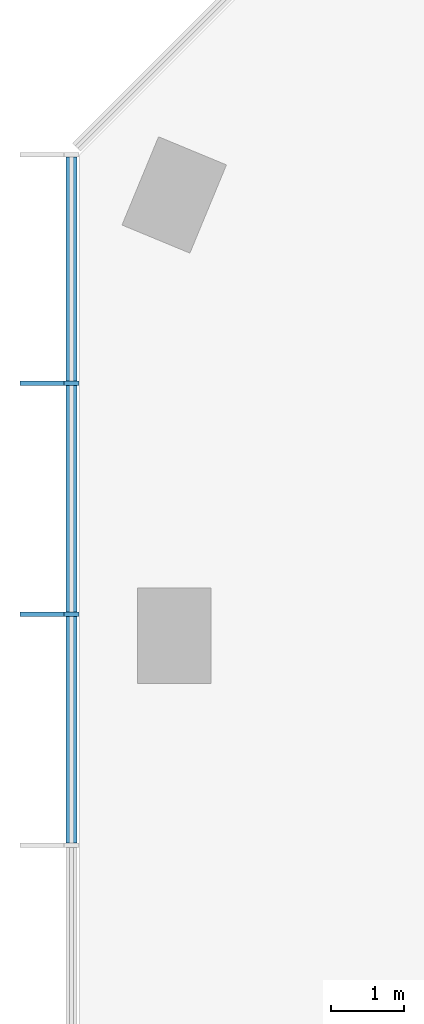
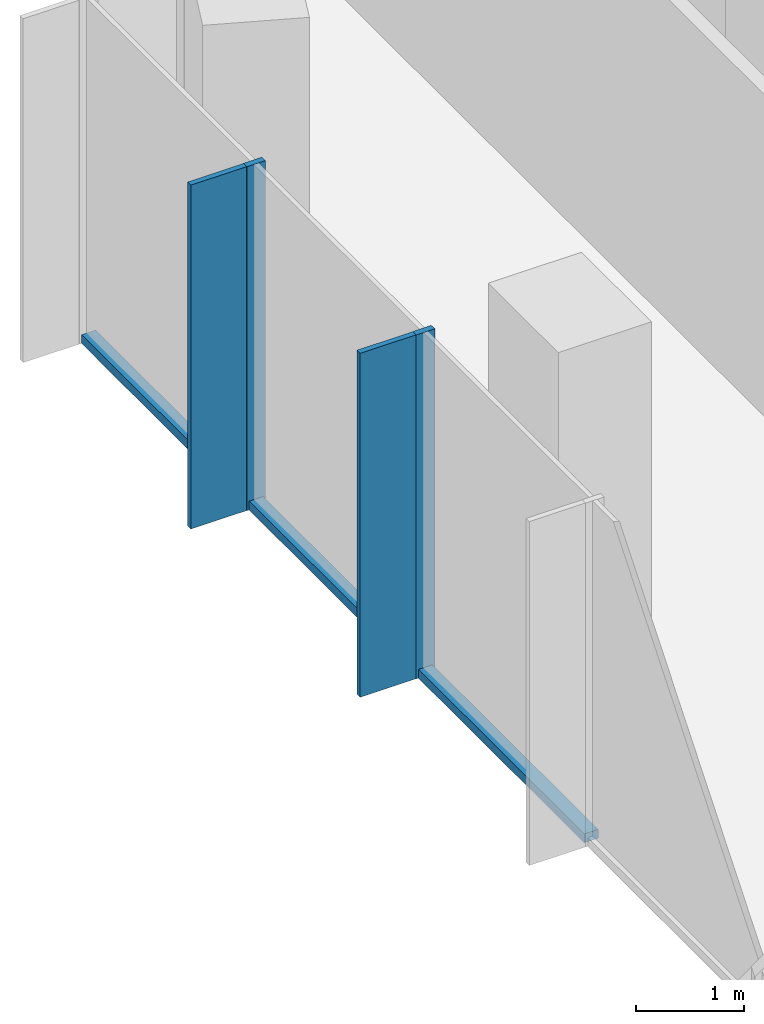
# One storey, part 3 of 10: 7 members, 1 element without a shape of its own.
"""IFC4 building model written with IfcOpenShell, lengths in metres."""

from ifc_helpers import new_model, si_unit, direction, frame, origin, origin_2d, place, context, subcontext, project, spatial, rectangle, extrude, material, layer, layer_set, material_profile, profile_set, type_object, element, aggregate, save


model = new_model("IFC4")

# Units and contexts
model_context = context("Model", 3, precision=1e-05, world=origin(), true_north=direction((0.0, 1.0)))
body_context = subcontext(model_context, "Body", "Model", "MODEL_VIEW")
ifc_project = project(units=[si_unit("LENGTHUNIT", "METRE"), si_unit("AREAUNIT", "SQUARE_METRE"), si_unit("VOLUMEUNIT", "CUBIC_METRE"), si_unit("PLANEANGLEUNIT", "RADIAN"), si_unit("MASSUNIT", "GRAM", prefix="KILO")], contexts=[model_context])

# Site, building, storey
site_placement = place(None, origin())
site = spatial("IfcSite", under=ifc_project, at=site_placement, CompositionType="ELEMENT")
building_placement = place(site_placement, origin())
building = spatial("IfcBuilding", under=site, at=building_placement, Name="Highveld Stack Headquarters", CompositionType="ELEMENT")
storey_placement = place(building_placement, frame((0.0, 0.0, 252.800048828125)))
storey = spatial("IfcBuildingStorey", under=building, at=storey_placement, Name="L62", CompositionType="ELEMENT", Elevation=252.800048828125)

# Curtain wall, members
ifc_material_1 = material(Name="Aluminium bronze anodised", Category="aluminium")
ifc_layer = layer(ifc_material_1, 0.199951171875)
ifc_layer_set = layer_set([ifc_layer], Name="Aluminium bronze anodised")
curtain_wall_type = type_object("IfcCurtainWallType", Name="CW5 EXECUTIVE UNITISED CURTAIN WALL", PredefinedType="NOTDEFINED", material=ifc_layer_set)
curtain_wall_placement = place(storey_placement, origin())
curtain_wall = element("IfcCurtainWall", 1, at=curtain_wall_placement, inside=storey, type_object=curtain_wall_type, Name="Curtain wall CW5 L62 W", PredefinedType="NOTDEFINED")
ifc_material_2 = material(Name="Aluminium bronze anodised", Category="aluminium")
ifc_material_profile_1 = material_profile(ifc_material_2, rectangle(XDim=0.60009765625, YDim=0.06005859375, at=origin_2d()), Name="FIN 600x60")
ifc_profile_set_1 = profile_set([ifc_material_profile_1], Name="Aluminium bronze anodised")
member_type_1 = type_object("IfcMemberType", Name="CW5 BRONZE FIN 600x60", PredefinedType="USERDEFINED", material=ifc_profile_set_1)
member_1_placement = place(storey_placement, frame((-13.800048828125, 15.434814453125, 0.0), z_axis=(0.0, 0.0, 1.0), x_axis=(1.0, 0.0, 0.0)))
member_1 = element("IfcMember", 2, at=member_1_placement, type_object=member_type_1, Name="CW5 fin L62 2", ObjectType="FIN", PredefinedType="USERDEFINED", context=body_context, shape_type="SweptSolid", body=[
    extrude(rectangle(XDim=0.60009765625, YDim=0.06005859375, at=origin_2d()), origin(), (0.0, 0.0, 1.0), 3.89990234375),
])
member_2_placement = place(storey_placement, frame((-13.800048828125, 12.289794921875, 0.0), z_axis=(0.0, 0.0, 1.0), x_axis=(1.0, 0.0, 0.0)))
member_2 = element("IfcMember", 3, at=member_2_placement, type_object=member_type_1, Name="CW5 fin L62 3", ObjectType="FIN", PredefinedType="USERDEFINED", context=body_context, shape_type="SweptSolid", body=[
    extrude(rectangle(XDim=0.60009765625, YDim=0.06005859375, at=origin_2d()), origin(), (0.0, 0.0, 1.0), 3.89990234375),
])
ifc_material_3 = material(Name="Aluminium bronze anodised", Category="aluminium")
ifc_material_profile_2 = material_profile(ifc_material_3, rectangle(XDim=0.199951171875, YDim=0.06494140625, at=origin_2d()), Name="CW5 MULLION 65x200")
ifc_profile_set_2 = profile_set([ifc_material_profile_2], Name="Aluminium bronze anodised")
member_type_2 = type_object("IfcMemberType", Name="CW5 MULLION 65x200", PredefinedType="MULLION", material=ifc_profile_set_2)
member_3_placement = place(storey_placement, frame((-13.39990234375, 15.434814453125, 0.0), z_axis=(0.0, 0.0, 1.0), x_axis=(1.0, 0.0, 0.0)))
member_3 = element("IfcMember", 4, at=member_3_placement, type_object=member_type_2, Name="CW5 mullion L62 2", PredefinedType="MULLION", context=body_context, shape_type="SweptSolid", body=[
    extrude(rectangle(XDim=0.199951171875, YDim=0.06494140625, at=origin_2d()), origin(), (0.0, 0.0, 1.0), 3.89990234375),
])
member_4_placement = place(storey_placement, frame((-13.39990234375, 12.289794921875, 0.0), z_axis=(0.0, 0.0, 1.0), x_axis=(1.0, 0.0, 0.0)))
member_4 = element("IfcMember", 5, at=member_4_placement, type_object=member_type_2, Name="CW5 mullion L62 3", PredefinedType="MULLION", context=body_context, shape_type="SweptSolid", body=[
    extrude(rectangle(XDim=0.199951171875, YDim=0.06494140625, at=origin_2d()), origin(), (0.0, 0.0, 1.0), 3.89990234375),
])
ifc_material_4 = material(Name="Aluminium bronze anodised", Category="aluminium")
ifc_material_profile_3 = material_profile(ifc_material_4, rectangle(XDim=0.14990234375, YDim=0.10009765625, at=origin_2d()), Name="CW5 TRANSOM 150x100")
ifc_profile_set_3 = profile_set([ifc_material_profile_3], Name="Aluminium bronze anodised")
member_type_3 = type_object("IfcMemberType", Name="CW5 STACK TRANSOM 150x100", PredefinedType="USERDEFINED", material=ifc_profile_set_3)
member_5_placement = place(storey_placement, frame((-13.39990234375, 18.514892578125, 0.050048828125), z_axis=(0.0, -1.0, 0.0), x_axis=(1.0, 0.0, 0.0)))
member_5 = element("IfcMember", 6, at=member_5_placement, type_object=member_type_3, Name="CW5 transom L62 1.1", ObjectType="TRANSOM", PredefinedType="USERDEFINED", context=body_context, shape_type="SweptSolid", body=[
    extrude(rectangle(XDim=0.14990234375, YDim=0.10009765625, at=origin_2d()), origin(), (0.0, 0.0, 1.0), 3.047607421875),
])
member_6_placement = place(storey_placement, frame((-13.39990234375, 15.40234375, 0.050048828125), z_axis=(0.0, -1.0, 0.0), x_axis=(1.0, 0.0, 0.0)))
member_6 = element("IfcMember", 7, at=member_6_placement, type_object=member_type_3, Name="CW5 transom L62 2.1", ObjectType="TRANSOM", PredefinedType="USERDEFINED", context=body_context, shape_type="SweptSolid", body=[
    extrude(rectangle(XDim=0.14990234375, YDim=0.10009765625, at=origin_2d()), origin(), (0.0, 0.0, 1.0), 3.079833984375),
])
member_7_placement = place(storey_placement, frame((-13.39990234375, 12.25732421875, 0.050048828125), z_axis=(0.0, -1.0, 0.0), x_axis=(1.0, 0.0, 0.0)))
member_7 = element("IfcMember", 8, at=member_7_placement, type_object=member_type_3, Name="CW5 transom L62 3.1", ObjectType="TRANSOM", PredefinedType="USERDEFINED", context=body_context, shape_type="SweptSolid", body=[
    extrude(rectangle(XDim=0.14990234375, YDim=0.10009765625, at=origin_2d()), origin(), (0.0, 0.0, 1.0), 3.079833984375),
])
aggregate(curtain_wall, [member_3, member_1, member_4, member_2, member_5, member_6, member_7])

save(model, "model.ifc")
